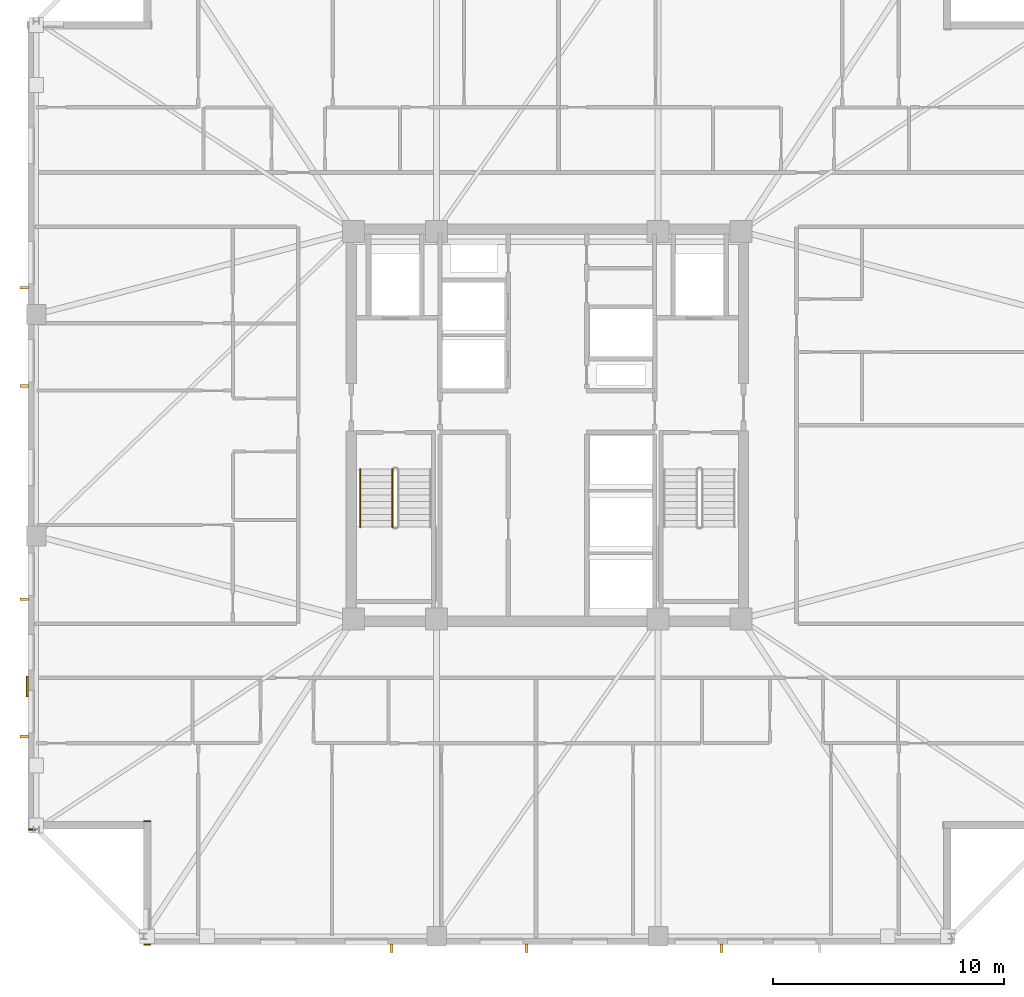
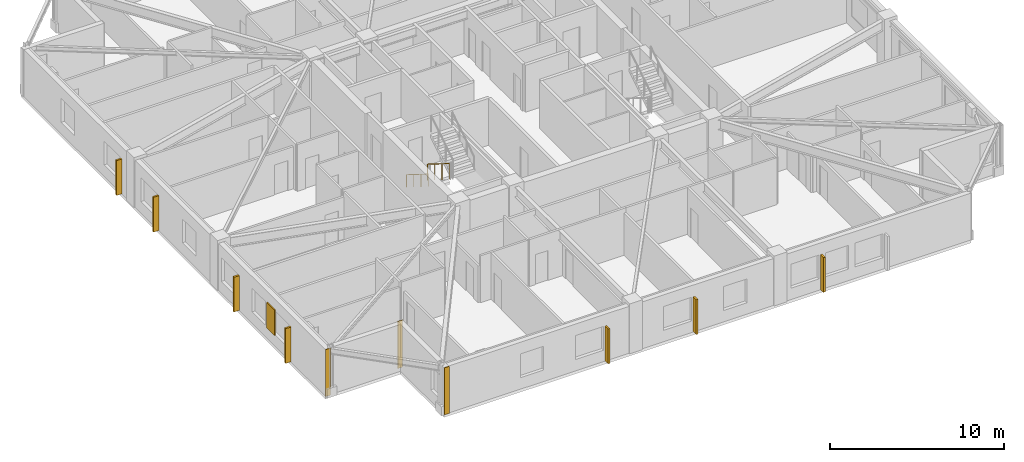
# One storey, part 13 of 17: 8 shading devices, 3 coverings, 2 railings.
"""IFC4 building model written with IfcOpenShell, lengths in metres."""

from ifc_helpers import new_model, si_unit, direction, frame, frame_2d, origin, origin_2d, place, context, subcontext, project, spatial, rectangle, circle, extrude, material, layer, layer_set, type_object, element, save


model = new_model("IFC4")

# Units and contexts
model_context = context("Model", 3, precision=1e-05, world=origin(), true_north=direction((0.0, 1.0)))
body_context = subcontext(model_context, "Body", "Model", "MODEL_VIEW")
ifc_project = project(units=[si_unit("LENGTHUNIT", "METRE"), si_unit("AREAUNIT", "SQUARE_METRE"), si_unit("VOLUMEUNIT", "CUBIC_METRE"), si_unit("PLANEANGLEUNIT", "RADIAN"), si_unit("MASSUNIT", "GRAM", prefix="KILO")], contexts=[model_context])

# Site, building, storey
site_placement = place(None, origin())
site = spatial("IfcSite", under=ifc_project, at=site_placement, CompositionType="ELEMENT")
building_placement = place(site_placement, origin())
building = spatial("IfcBuilding", under=site, at=building_placement, Name="Cairnveth Concourse Tower", CompositionType="ELEMENT")
storey_placement = place(building_placement, frame((0.0, 0.0, 202.5)))
storey = spatial("IfcBuildingStorey", under=building, at=storey_placement, Name="L55", CompositionType="ELEMENT", Elevation=202.5)

# Coverings
ifc_material_1 = material(Name="Dressed Melbourne Bluestone Cladding", Category="masonry")
ifc_layer = layer(ifc_material_1, 0.050048828125)
ifc_layer_set = layer_set([ifc_layer], Name="Dressed Melbourne Bluestone Cladding")
covering_type = type_object("IfcCoveringType", Name="DRESSED BLUESTONE PLINTH CLADDING 50", PredefinedType="CLADDING", material=ifc_layer_set)
for number, where, z_axis, x_axis, name in (
    (1, (34.820068359375, 16.47998046875, 0.0), (0.0, 0.0, 1.0), (-1.0, 0.0, 0.0), "Melbourne Bluestone Corner Quoin L55-822"),
    (2, (34.820068359375, 21.840087890625, 0.0), (0.0, 0.0, 1.0), (-1.0, 0.0, 0.0), "Melbourne Bluestone Corner Quoin L55-823"),
    (3, (29.820068359375, 21.47998046875, 0.0), (0.0, 0.0, 1.0), (-1.0, 0.0, 0.0), "Melbourne Bluestone Corner Quoin L55-824"),
):
    element("IfcCovering", number, at=place(storey_placement, frame(where, z_axis=z_axis, x_axis=x_axis)), inside=storey, type_object=covering_type, Name=name, PredefinedType="CLADDING", context=body_context, shape_type="SweptSolid", body=[
        extrude(rectangle(XDim=0.320068359375, YDim=0.050048828125, at=frame_2d((0.16015625, 0.0))), origin(), (0.0, 0.0, 1.0), 3.2900390625),
    ])

# Shading devices
ifc_material_2 = material(Name="Architectural Bronze Anodised Aluminium 6063-T6", Category="aluminium")
shading_device_type_1 = type_object("IfcShadingDeviceType", Name="GOTHIC BRONZE VERTICAL LANCET FIN", PredefinedType="USERDEFINED", material=ifc_material_2)
for number, where, z_axis, x_axis, name in (
    (4, (59.546875, 16.324951171875, 0.030029296875), (0.0, 0.0, 1.0), (1.0, 0.0, 0.0), "Gothic Bronze Vertical Fin L55-6-3"),
    (5, (51.096435546875, 16.324951171875, 0.030029296875), (0.0, 0.0, 1.0), (1.0, 0.0, 0.0), "Gothic Bronze Vertical Fin L55-6-5"),
    (6, (45.245849609375, 16.324951171875, 0.030029296875), (0.0, 0.0, 1.0), (1.0, 0.0, 0.0), "Gothic Bronze Vertical Fin L55-6-7"),
    (7, (29.324951171875, 25.502685546875, 0.030029296875), (0.0, 0.0, 1.0), (0.0, 1.0, 0.0), "Gothic Bronze Vertical Fin L55-9-1"),
    (8, (29.324951171875, 31.453125, 0.030029296875), (0.0, 0.0, 1.0), (0.0, 1.0, 0.0), "Gothic Bronze Vertical Fin L55-9-3"),
    (9, (29.324951171875, 40.70361328125, 0.030029296875), (0.0, 0.0, 1.0), (0.0, 1.0, 0.0), "Gothic Bronze Vertical Fin L55-9-5"),
    (10, (29.324951171875, 44.9541015625, 0.030029296875), (0.0, 0.0, 1.0), (0.0, 1.0, 0.0), "Gothic Bronze Vertical Fin L55-9-7"),
):
    element("IfcShadingDevice", number, at=place(storey_placement, frame(where, z_axis=z_axis, x_axis=x_axis)), inside=storey, type_object=shading_device_type_1, Name=name, ObjectType="VERTICAL FIN", PredefinedType="USERDEFINED", context=body_context, shape_type="SweptSolid", body=[
        extrude(rectangle(XDim=0.1201171875, YDim=0.360107421875, at=origin_2d()), origin(), (0.0, 0.0, 1.0), 2.43798828125),
    ])

# Railings
ifc_material_3 = material(Name="Steel Grade 350", Category="steel")
railing_type_1 = type_object("IfcRailingType", Name="STAIR GUARDRAIL 1150", PredefinedType="GUARDRAIL", material=ifc_material_3)
railing_1_placement = place(storey_placement, frame((45.2900390625, 37.10009765625, 0.175048828125)))
element("IfcRailing", 11, at=railing_1_placement, inside=storey, type_object=railing_type_1, Name="L55 ST-1 stair guard 1", PredefinedType="GUARDRAIL", context=body_context, shape_type="SweptSolid", body=[
    extrude(circle(Radius=0.02392578125, at=origin_2d()), frame((0.0, 0.0, 1.1259765625), z_axis=(0.0, -0.848007534815, 0.529984170421), x_axis=(1.0, 0.0, 0.0)), (0.0, 0.0, 1.0), 2.9716796875),
    extrude(circle(Radius=0.02099609375, at=origin_2d()), origin(), (0.0, 0.0, 1.0), 1.101806640625),
    extrude(circle(Radius=0.02099609375, at=origin_2d()), frame((0.0, -0.840087890625, 0.52490234375)), (0.0, 0.0, 1.0), 1.101806640625),
    extrude(circle(Radius=0.02099609375, at=origin_2d()), frame((0.0, -1.679931640625, 1.050048828125)), (0.0, 0.0, 1.0), 1.101806640625),
    extrude(circle(Radius=0.02099609375, at=origin_2d()), frame((0.0, -2.52001953125, 1.574951171875)), (0.0, 0.0, 1.0), 1.101806640625),
])
railing_type_2 = type_object("IfcRailingType", Name="STAIR WALL HANDRAIL 900", PredefinedType="HANDRAIL", material=ifc_material_3)
railing_2_placement = place(storey_placement, frame((43.889892578125, 37.10009765625, 0.175048828125)))
element("IfcRailing", 12, at=railing_2_placement, inside=storey, type_object=railing_type_2, Name="L55 ST-1 stair handrail 1", PredefinedType="HANDRAIL", context=body_context, shape_type="SweptSolid", body=[
    extrude(circle(Radius=0.02392578125, at=origin_2d()), frame((0.0, 0.0, 0.8759765625), z_axis=(0.0, -0.848007534815, 0.529984170421), x_axis=(1.0, 0.0, 0.0)), (0.0, 0.0, 1.0), 2.9716796875),
    extrude(circle(Radius=0.02099609375, at=origin_2d()), origin(), (0.0, 0.0, 1.0), 0.851806640625),
    extrude(circle(Radius=0.02099609375, at=origin_2d()), frame((0.0, -0.840087890625, 0.52490234375)), (0.0, 0.0, 1.0), 0.851806640625),
    extrude(circle(Radius=0.02099609375, at=origin_2d()), frame((0.0, -1.679931640625, 1.050048828125)), (0.0, 0.0, 1.0), 0.851806640625),
    extrude(circle(Radius=0.02099609375, at=origin_2d()), frame((0.0, -2.52001953125, 1.574951171875)), (0.0, 0.0, 1.0), 0.851806640625),
])

# Shading device
shading_device_type_2 = type_object("IfcShadingDeviceType", Name="WEST SOLAR PERFORATED SHUTTER", PredefinedType="SHUTTER", material=ifc_material_2)
shading_device_placement = place(storey_placement, frame((29.464111328125, 27.672607421875, 0.7998046875), z_axis=(0.0, 0.0, 1.0), x_axis=(1.0, 0.0, 0.0)))
element("IfcShadingDevice", 13, at=shading_device_placement, inside=storey, type_object=shading_device_type_2, Name="West Solar Shutter L55", PredefinedType="SHUTTER", context=body_context, shape_type="SweptSolid", body=[
    extrude(rectangle(XDim=0.080078125, YDim=0.89990234375, at=origin_2d()), origin(), (0.0, 0.0, 1.0), 1.800048828125),
])

save(model, "model.ifc")
